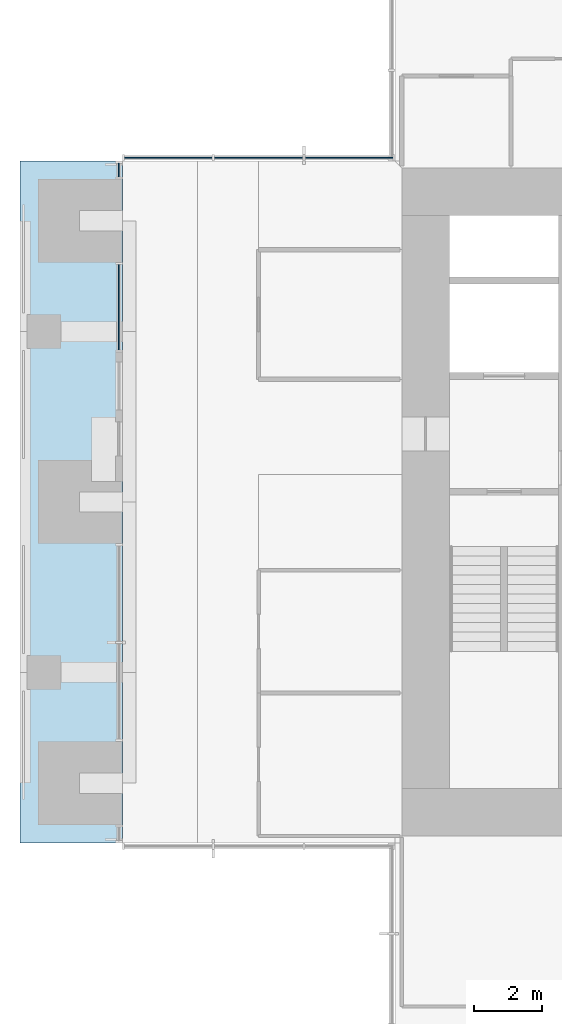
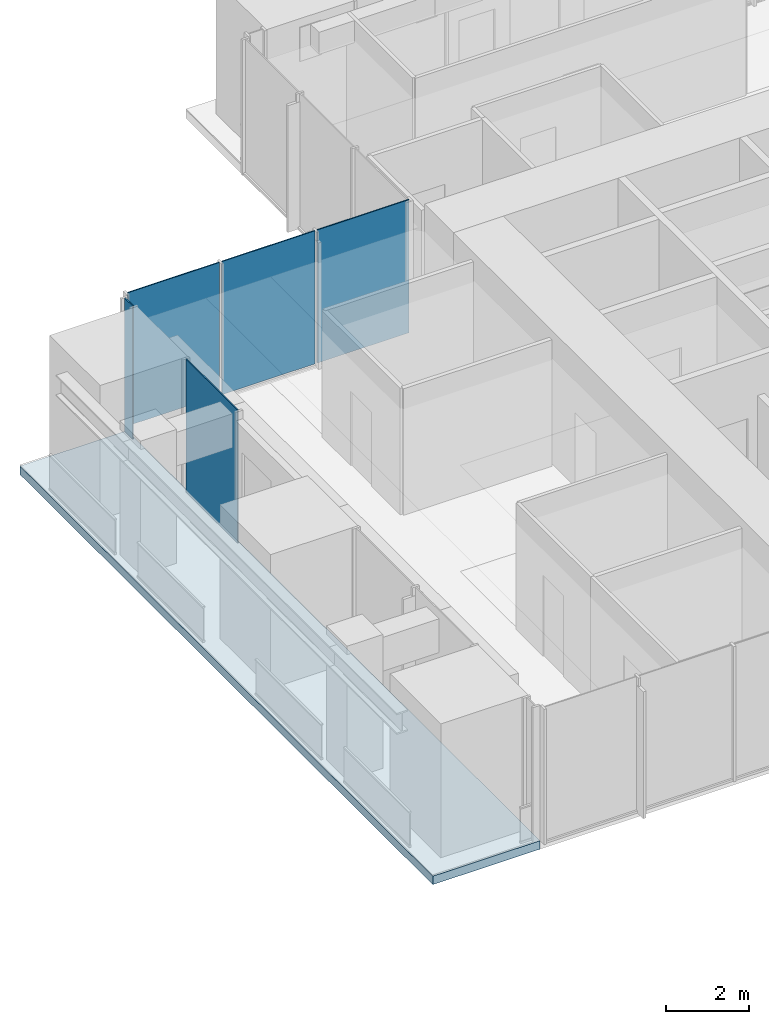
# One storey, part 8 of 17: 5 plates, 1 slab, 3 elements without a shape of their own.
"""IFC4 building model written with IfcOpenShell, lengths in metres."""

import ifcopenshell
import ifcopenshell.guid

model = None  # the IFC model being written
_history = None  # IfcOwnerHistory: only IFC2X3 demands one
_inside = {}  # id of a spatial element -> (the spatial element, [elements in it])
_under = {}  # id of a project, library or spatial element -> (it, [spatial elements below it])
_declared = {}  # id of a project -> (the project, [libraries it declares])
_typed = {}  # id of a type object -> (the type object, [elements of that type])
_made_of = {}  # id of a material, layer set ... -> (it, [elements and type objects made of it])


def new_model(schema):
    """Start an empty IFC model of exactly this schema.

    Asked for "IFC4X3", IfcOpenShell would pick the latest addendum, in which some entities
    have other attributes; the version numbers below select the first issue.
    IFC2X3 requires an IfcOwnerHistory on every rooted entity: one is made here for all.
    """
    global model, _history
    if schema == "IFC4X3":
        model = ifcopenshell.file(schema_version=(4, 3, 0, 0))
    else:
        model = ifcopenshell.file(schema=schema)
    _inside.clear()
    _under.clear()
    _declared.clear()
    _typed.clear()
    _made_of.clear()
    _history = None
    if model.schema == "IFC2X3":
        org = make("IfcOrganization", Name="unknown")
        user = make(
            "IfcPersonAndOrganization",
            ThePerson=make("IfcPerson", FamilyName="unknown"),
            TheOrganization=org,
        )
        app = make(
            "IfcApplication",
            ApplicationDeveloper=org,
            Version="unknown",
            ApplicationFullName="unknown",
            ApplicationIdentifier="unknown",
        )
        _history = make(
            "IfcOwnerHistory",
            OwningUser=user,
            OwningApplication=app,
            ChangeAction="ADDED",
            CreationDate=0,
        )
    return model


def make(cls, **values):
    """One entity of the class cls with the attributes given. An attribute that is None is left unset."""
    return model.create_entity(
        cls, **{name: value for name, value in values.items() if value is not None}
    )


def rooted(cls, **values):
    """An entity with a GlobalId (a new one), such as an element, a storey or a relation."""
    return make(cls, GlobalId=ifcopenshell.guid.new(), OwnerHistory=_history, **values)


def si_unit(unit_type, name, prefix=None):
    """IfcSIUnit, for example si_unit("LENGTHUNIT", "METRE", prefix="MILLI")."""
    return make("IfcSIUnit", UnitType=unit_type, Prefix=prefix, Name=name)


def assignment(units):
    """IfcUnitAssignment: the units of a project."""
    return None if units is None else make("IfcUnitAssignment", Units=units)


def point(xyz):
    """IfcCartesianPoint."""
    return None if xyz is None else make("IfcCartesianPoint", Coordinates=xyz)


def direction(xyz):
    """IfcDirection."""
    return None if xyz is None else make("IfcDirection", DirectionRatios=xyz)


def frame(location, z_axis=None, x_axis=None):
    """IfcAxis2Placement3D, a coordinate frame: its origin and axes. An axis left out is left unset."""
    return make(
        "IfcAxis2Placement3D",
        Location=point(location),
        Axis=direction(z_axis),
        RefDirection=direction(x_axis),
    )


def frame_2d(location, x_axis=None):
    """IfcAxis2Placement2D, a coordinate frame in the plane: its origin and x axis."""
    return make(
        "IfcAxis2Placement2D", Location=point(location), RefDirection=direction(x_axis)
    )


def origin():
    """The frame at (0, 0, 0) with its axes left unset."""
    return frame((0.0, 0.0, 0.0))


def origin_2d():
    """The frame at (0, 0) in the plane with its x axis left unset."""
    return frame_2d((0.0, 0.0))


def place(relative_to, where):
    """IfcLocalPlacement: puts the frame where relative to a parent placement (None: the world)."""
    return make(
        "IfcLocalPlacement", PlacementRelTo=relative_to, RelativePlacement=where
    )


def context(
    kind, dimensions, precision=None, world=None, true_north=None, identifier=None
):
    """IfcGeometricRepresentationContext, for example the 3D "Model" context."""
    return make(
        "IfcGeometricRepresentationContext",
        ContextIdentifier=identifier,
        ContextType=kind,
        CoordinateSpaceDimension=dimensions,
        Precision=precision,
        WorldCoordinateSystem=world,
        TrueNorth=true_north,
    )


def subcontext(parent, identifier, kind, view, scale=None):
    """IfcGeometricRepresentationSubContext, for example "Body" below "Model"."""
    return make(
        "IfcGeometricRepresentationSubContext",
        ContextIdentifier=identifier,
        ContextType=kind,
        ParentContext=parent,
        TargetScale=scale,
        TargetView=view,
    )


def project(units=None, contexts=None):
    """IfcProject with its units and contexts."""
    return rooted(
        "IfcProject",
        Name="project",
        RepresentationContexts=contexts,
        UnitsInContext=assignment(units),
    )


def spatial(cls, under=None, at=None, **own):
    """A site, building, storey or space (cls), placed at a placement, below another one or the project."""
    s = rooted(cls, ObjectPlacement=at, **own)
    if under is not None:
        _under.setdefault(under.id(), (under, []))[1].append(s)
    return s


def polyline(points):
    """IfcPolyline through the points."""
    return make("IfcPolyline", Points=[point(p) for p in points])


def profile(cls, at=None, kind="AREA", **sizes):
    """A parametric profile (cls). Its sizes go by their IFC names, for example OverallWidth=200.0."""
    return make(cls, ProfileType=kind, Position=at, **sizes)


def rectangle(**sizes):
    """IfcRectangleProfileDef."""
    return profile("IfcRectangleProfileDef", **sizes)


def outline(outer, holes=None, kind="AREA"):
    """IfcArbitraryClosedProfileDef: a profile drawn as a closed curve; with holes, ...WithVoids."""
    if holes is None:
        return make("IfcArbitraryClosedProfileDef", ProfileType=kind, OuterCurve=outer)
    return make(
        "IfcArbitraryProfileDefWithVoids",
        ProfileType=kind,
        OuterCurve=outer,
        InnerCurves=holes,
    )


def extrude(swept, where, along, depth):
    """IfcExtrudedAreaSolid: the profile swept, set in the frame where, extruded along a direction by depth."""
    return make(
        "IfcExtrudedAreaSolid",
        SweptArea=swept,
        Position=where,
        ExtrudedDirection=direction(along),
        Depth=depth,
    )


def shape(context_of_items, identifier, shape_type, items):
    """IfcShapeRepresentation: the items that make up one representation, for example the "Body"."""
    return make(
        "IfcShapeRepresentation",
        ContextOfItems=context_of_items,
        RepresentationIdentifier=identifier,
        RepresentationType=shape_type,
        Items=items,
    )


def material(Name=None, Category=None):
    """IfcMaterial."""
    return make("IfcMaterial", Name=Name, Category=Category)


def layer(
    of_material, thickness, ventilated=None, Name=None, Category=None, Priority=None
):
    """IfcMaterialLayer: one layer of a wall or slab, of a material (None: an air gap)."""
    return make(
        "IfcMaterialLayer",
        Material=of_material,
        LayerThickness=thickness,
        IsVentilated=ventilated,
        Name=Name,
        Category=Category,
        Priority=Priority,
    )


def layer_set(layers, Name=None):
    """IfcMaterialLayerSet."""
    return make("IfcMaterialLayerSet", MaterialLayers=layers, LayerSetName=Name)


def made_of(thing, what):
    """Note that an element or type object is made of a material, layer set ...; save() writes the relation."""
    if what is not None:
        _made_of.setdefault(what.id(), (what, []))[1].append(thing)
    return thing


def type_object(cls, material=None, **own):
    """A type object (cls), such as IfcWallType, which elements share."""
    return made_of(rooted(cls, **own), material)


def element(
    cls,
    number,
    at=None,
    inside=None,
    cuts=None,
    type_object=None,
    material=None,
    context=None,
    identifier="Body",
    shape_type=None,
    held_by="IfcProductDefinitionShape",
    body=None,
    shapes=None,
    **own,
):
    """One element of the class cls, such as IfcWall. Its Tag is "e" and its number.

    at: its placement. inside: the storey or other place that contains it. cuts: it is an
    opening in that element (IfcRelVoidsElement). A single representation is given by context,
    identifier, shape_type and body (its items); several are given by shapes. held_by: the class
    of the entity that holds the representations. save() writes the other relations.
    """
    e = rooted(cls, Tag="e%d" % number, ObjectPlacement=at, **own)
    if body is not None:
        shapes = [shape(context, identifier, shape_type, body)]
    if shapes is not None:
        e.Representation = make(held_by, Representations=shapes)
    if inside is not None:
        _inside.setdefault(inside.id(), (inside, []))[1].append(e)
    if cuts is not None:
        rooted(
            "IfcRelVoidsElement", RelatingBuildingElement=cuts, RelatedOpeningElement=e
        )
    if type_object is not None:
        _typed.setdefault(type_object.id(), (type_object, []))[1].append(e)
    return made_of(e, material)


def aggregate(whole, parts):
    """IfcRelAggregates: a whole, such as a stair, and the parts it consists of."""
    return rooted("IfcRelAggregates", RelatingObject=whole, RelatedObjects=parts)


def save(model, path):
    """Write the relations noted so far, then the file.

    IfcRelAggregates (storeys below a building ...), IfcRelContainedInSpatialStructure (elements
    in a storey), IfcRelDefinesByType, IfcRelAssociatesMaterial and IfcRelDeclares: one each for
    every whole, place, type object, material and project.
    """
    for whole, parts in _under.values():
        aggregate(whole, parts)
    for where, things in _inside.values():
        rooted(
            "IfcRelContainedInSpatialStructure",
            RelatedElements=things,
            RelatingStructure=where,
        )
    for kind, things in _typed.values():
        rooted("IfcRelDefinesByType", RelatedObjects=things, RelatingType=kind)
    for what, things in _made_of.values():
        rooted("IfcRelAssociatesMaterial", RelatedObjects=things, RelatingMaterial=what)
    for by, libraries in _declared.values():
        rooted("IfcRelDeclares", RelatingContext=by, RelatedDefinitions=libraries)
    model.write(path)


model = new_model("IFC4")

# Units and contexts
model_context = context("Model", 3, precision=1e-05, world=origin(), true_north=direction((0.0, 1.0)))
body_context = subcontext(model_context, "Body", "Model", "MODEL_VIEW")
ifc_project = project(units=[si_unit("LENGTHUNIT", "METRE"), si_unit("AREAUNIT", "SQUARE_METRE"), si_unit("VOLUMEUNIT", "CUBIC_METRE"), si_unit("PLANEANGLEUNIT", "RADIAN"), si_unit("MASSUNIT", "GRAM", prefix="KILO")], contexts=[model_context])

# Site, building, storey
site_placement = place(None, origin())
site = spatial("IfcSite", under=ifc_project, at=site_placement, CompositionType="ELEMENT")
building_placement = place(site_placement, origin())
building = spatial("IfcBuilding", under=site, at=building_placement, Name="Svetlomir Tower", CompositionType="ELEMENT")
storey_placement = place(building_placement, frame((0.0, 0.0, 182.5)))
storey = spatial("IfcBuildingStorey", under=building, at=storey_placement, Name="L43", CompositionType="ELEMENT", Elevation=182.5)

# Curtain wall, plates
ifc_material_1 = material(Name="Bronze anodised aluminium curtain wall", Category="aluminium")
curtain_wall_type = type_object("IfcCurtainWallType", Name="CURTAIN WALL CW1 TOWER OFFICE", PredefinedType="NOTDEFINED", material=ifc_material_1)
curtain_wall_1_placement = place(storey_placement, origin())
curtain_wall_1 = element("IfcCurtainWall", 1, at=curtain_wall_1_placement, inside=storey, type_object=curtain_wall_type, Name="Curtain wall CW1 L43", PredefinedType="NOTDEFINED")
ifc_material_2 = material(Name="Tinted double glazed unit", Category="glass")
ifc_layer_1 = layer(ifc_material_2, 0.031982421875)
ifc_layer_set_1 = layer_set([ifc_layer_1], Name="Tinted double glazed unit")
plate_type = type_object("IfcPlateType", Name="CW1 GLAZED PANEL 32", PredefinedType="CURTAIN_PANEL", material=ifc_layer_set_1)
plate_1_placement = place(storey_placement, frame((9.650390625, 31.10009765625, 0.06494140625), z_axis=(0.0, 0.0, 1.0), x_axis=(-1.0, 0.0, 0.0)))
plate_1 = element("IfcPlate", 2, at=plate_1_placement, type_object=plate_type, Name="CW1 panel 1.1", PredefinedType="CURTAIN_PANEL", context=body_context, shape_type="SweptSolid", body=[
    extrude(rectangle(XDim=2.569091796875, YDim=0.031982421875, at=origin_2d()), origin(), (0.0, 0.0, 1.0), 3.93505859375),
])
plate_2_placement = place(storey_placement, frame((7.0, 31.10009765625, 0.06494140625), z_axis=(0.0, 0.0, 1.0), x_axis=(-1.0, 0.0, 0.0)))
plate_2 = element("IfcPlate", 3, at=plate_2_placement, type_object=plate_type, Name="CW1 panel 2.1", PredefinedType="CURTAIN_PANEL", context=body_context, shape_type="SweptSolid", body=[
    extrude(rectangle(XDim=2.6015625, YDim=0.031982421875, at=origin_2d()), origin(), (0.0, 0.0, 1.0), 3.93505859375),
])
plate_3_placement = place(storey_placement, frame((4.349609375, 31.10009765625, 0.06494140625), z_axis=(0.0, 0.0, 1.0), x_axis=(-1.0, 0.0, 0.0)))
plate_3 = element("IfcPlate", 4, at=plate_3_placement, type_object=plate_type, Name="CW1 panel 3.1", PredefinedType="CURTAIN_PANEL", context=body_context, shape_type="SweptSolid", body=[
    extrude(rectangle(XDim=2.569091796875, YDim=0.031982421875, at=origin_2d()), origin(), (0.0, 0.0, 1.0), 3.93505859375),
])
aggregate(curtain_wall_1, [plate_1, plate_2, plate_3])

# Curtain wall, plate
curtain_wall_2_placement = place(storey_placement, origin())
curtain_wall_2 = element("IfcCurtainWall", 5, at=curtain_wall_2_placement, inside=storey, type_object=curtain_wall_type, Name="Curtain wall CW1 L43", PredefinedType="NOTDEFINED")
plate_4_placement = place(storey_placement, frame((2.89990234375, 30.737548828125, 0.06494140625), z_axis=(0.0, 0.0, 1.0), x_axis=(0.0, -1.0, 0.0)))
plate_4 = element("IfcPlate", 6, at=plate_4_placement, type_object=plate_type, Name="CW1 panel 1.1", PredefinedType="CURTAIN_PANEL", context=body_context, shape_type="SweptSolid", body=[
    extrude(rectangle(XDim=0.39501953125, YDim=0.031982421875, at=origin_2d()), origin(), (0.0, 0.0, 1.0), 3.93505859375),
])
aggregate(curtain_wall_2, [plate_4])

curtain_wall_3_placement = place(storey_placement, origin())
curtain_wall_3 = element("IfcCurtainWall", 7, at=curtain_wall_3_placement, inside=storey, type_object=curtain_wall_type, Name="Curtain wall CW1 L43", PredefinedType="NOTDEFINED")
plate_5_placement = place(storey_placement, frame((2.89990234375, 26.71240234375, 0.06494140625), z_axis=(0.0, 0.0, 1.0), x_axis=(0.0, -1.0, 0.0)))
plate_5 = element("IfcPlate", 8, at=plate_5_placement, type_object=plate_type, Name="CW1 panel 1.1", PredefinedType="CURTAIN_PANEL", context=body_context, shape_type="SweptSolid", body=[
    extrude(rectangle(XDim=2.4951171875, YDim=0.031982421875, at=origin_2d()), origin(), (0.0, 0.0, 1.0), 3.93505859375),
])
aggregate(curtain_wall_3, [plate_5])

# Slab
ifc_material_3 = material(Name="Concrete C60/75", Category="concrete")
ifc_layer_2 = layer(ifc_material_3, 0.25)
ifc_layer_set_2 = layer_set([ifc_layer_2], Name="Concrete C60/75")
slab_type = type_object("IfcSlabType", Name="PLANTED LOGGIA SLAB 250", PredefinedType="FLOOR", material=ifc_layer_set_2)
slab_placement = place(storey_placement, frame((0.0, 0.0, -0.25)))
element("IfcSlab", 9, at=slab_placement, inside=storey, type_object=slab_type, Name="L43 W planted loggia", PredefinedType="FLOOR", context=body_context, shape_type="SweptSolid", body=[
    extrude(outline(polyline([(0.0, 11.0), (3.0, 11.0), (3.0, 31.0), (0.0, 31.0), (0.0, 11.0)])), origin(), (0.0, 0.0, 1.0), 0.25),
])

save(model, "model.ifc")
